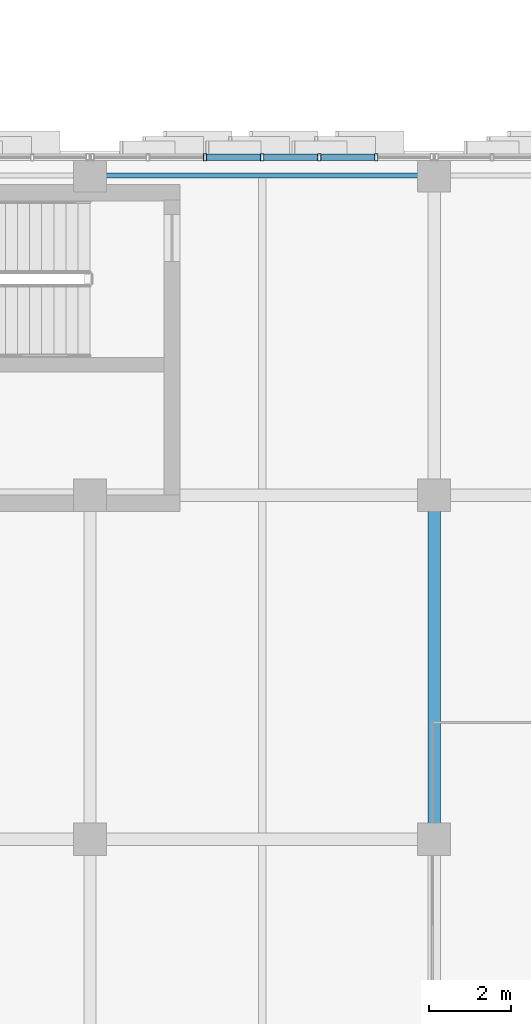
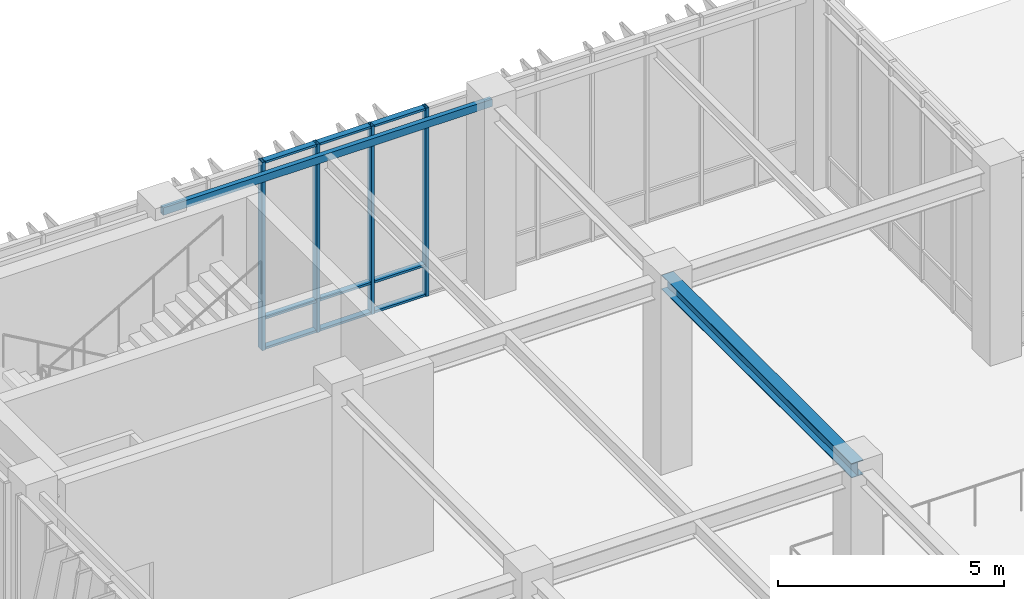
# One storey, part 47 of 139: 13 members, 2 beams, 1 element without a shape of its own.
"""IFC4 building model written with IfcOpenShell, lengths in metres."""

from ifc_helpers import new_model, si_unit, direction, frame, origin, origin_2d, place, context, subcontext, project, spatial, hollow_rectangle, i_section, extrude, material, layer, layer_set, material_profile, profile_set, type_object, element, aggregate, save


model = new_model("IFC4")

# Units and contexts
model_context = context("Model", 3, precision=1e-05, world=origin(), true_north=direction((0.0, 1.0)))
body_context = subcontext(model_context, "Body", "Model", "MODEL_VIEW")
ifc_project = project(units=[si_unit("LENGTHUNIT", "METRE"), si_unit("AREAUNIT", "SQUARE_METRE"), si_unit("VOLUMEUNIT", "CUBIC_METRE"), si_unit("PLANEANGLEUNIT", "RADIAN"), si_unit("MASSUNIT", "GRAM", prefix="KILO")], contexts=[model_context])

# Site, building, storey
site_placement = place(None, origin())
site = spatial("IfcSite", under=ifc_project, at=site_placement, CompositionType="ELEMENT")
building_placement = place(site_placement, origin())
building = spatial("IfcBuilding", under=site, at=building_placement, Name="Zayran Congress Hotel", CompositionType="ELEMENT")
storey_placement = place(building_placement, frame((0.0, 0.0, 5.39990234375)))
storey = spatial("IfcBuildingStorey", under=building, at=storey_placement, Name="L01", CompositionType="ELEMENT", Elevation=5.39990234375)

# Beams
ifc_material_1 = material(Name="Steel S355", Category="steel")
ifc_material_profile_1 = material_profile(ifc_material_1, i_section(OverallWidth=0.300048828125, OverallDepth=0.389892578125, WebThickness=0.010986328125, FlangeThickness=0.01904296875, at=origin_2d()), Name="HEA 400")
ifc_profile_set_1 = profile_set([ifc_material_profile_1], Name="Steel S355")
beam_type_1 = type_object("IfcBeamType", Name="TP-BM-06", PredefinedType="BEAM", material=ifc_profile_set_1)
beam_1_placement = place(storey_placement, frame((25.199951171875, 101.199951171875, 4.885009765625), z_axis=(0.0, 1.0, 0.0), x_axis=(-1.0, 0.0, 0.0)))
element("IfcBeam", 1, at=beam_1_placement, inside=storey, type_object=beam_type_1, Name="BM-V1-L01-0585", PredefinedType="BEAM", context=body_context, shape_type="SweptSolid", body=[
    extrude(i_section(OverallWidth=0.300048828125, OverallDepth=0.389892578125, WebThickness=0.010986328125, FlangeThickness=0.01904296875, at=origin_2d()), origin(), (0.0, 0.0, 1.0), 8.400146484375),
])
ifc_material_profile_2 = material_profile(ifc_material_1, hollow_rectangle(XDim=0.1201171875, YDim=0.199951171875, WallThickness=0.008056640625, at=origin_2d()), Name="RHS 200x120x8")
ifc_profile_set_2 = profile_set([ifc_material_profile_2], Name="Steel S355")
beam_type_2 = type_object("IfcBeamType", Name="TP-SP-02", PredefinedType="SPANDREL", material=ifc_profile_set_2)
beam_2_placement = place(storey_placement, frame((16.800048828125, 117.39990234375, 4.97998046875), z_axis=(1.0, 0.0, 0.0), x_axis=(0.0, 1.0, 0.0)))
element("IfcBeam", 2, at=beam_2_placement, inside=storey, type_object=beam_type_2, Name="BM-V1-L01-0562", PredefinedType="SPANDREL", context=body_context, shape_type="SweptSolid", body=[
    extrude(hollow_rectangle(XDim=0.1201171875, YDim=0.199951171875, WallThickness=0.008056640625, at=origin_2d()), origin(), (0.0, 0.0, 1.0), 8.39990234375),
])

# Curtain wall, members
ifc_material_2 = material(Name="Anodised aluminium and low-E insulated glass", Category="aluminium")
ifc_layer = layer(ifc_material_2, 0.179931640625)
ifc_layer_set = layer_set([ifc_layer], Name="Anodised aluminium and low-E insulated glass")
curtain_wall_type = type_object("IfcCurtainWallType", Name="CW-V1N-L01-CW-22-8360-5080", PredefinedType="USERDEFINED", material=ifc_layer_set)
curtain_wall_placement = place(storey_placement, origin())
curtain_wall = element("IfcCurtainWall", 3, at=curtain_wall_placement, inside=storey, type_object=curtain_wall_type, Name="CW-V1N-L01-1", ObjectType="CURTAIN WALL", PredefinedType="USERDEFINED")
ifc_material_3 = material(Name="Anodised aluminium framing", Category="aluminium")
ifc_material_profile_3 = material_profile(ifc_material_3, hollow_rectangle(XDim=0.080078125, YDim=0.179931640625, WallThickness=0.0048828125, at=origin_2d()), Name="RHS 180x80x5")
ifc_profile_set_3 = profile_set([ifc_material_profile_3], Name="Anodised aluminium framing")
member_type_1 = type_object("IfcMemberType", Name="TP-CWM-01", PredefinedType="MULLION", material=ifc_profile_set_3)
member_1_placement = place(storey_placement, frame((23.78662109375, 117.85009765625, 0.0), z_axis=(0.0, 0.0, 1.0), x_axis=(1.0, 0.0, 0.0)))
member_1 = element("IfcMember", 4, at=member_1_placement, type_object=member_type_1, Name="CW-V1N-L01-1-M01", PredefinedType="MULLION", context=body_context, shape_type="SweptSolid", body=[
    extrude(hollow_rectangle(XDim=0.080078125, YDim=0.179931640625, WallThickness=0.0048828125, at=origin_2d()), origin(), (0.0, 0.0, 1.0), 5.080078125),
])
member_2_placement = place(storey_placement, frame((22.393310546875, 117.85009765625, 0.0), z_axis=(0.0, 0.0, 1.0), x_axis=(1.0, 0.0, 0.0)))
member_2 = element("IfcMember", 5, at=member_2_placement, type_object=member_type_1, Name="CW-V1N-L01-1-M02", PredefinedType="MULLION", context=body_context, shape_type="SweptSolid", body=[
    extrude(hollow_rectangle(XDim=0.080078125, YDim=0.179931640625, WallThickness=0.0048828125, at=origin_2d()), origin(), (0.0, 0.0, 1.0), 5.080078125),
])
member_3_placement = place(storey_placement, frame((21.0, 117.85009765625, 0.0), z_axis=(0.0, 0.0, 1.0), x_axis=(1.0, 0.0, 0.0)))
member_3 = element("IfcMember", 6, at=member_3_placement, type_object=member_type_1, Name="CW-V1N-L01-1-M03", PredefinedType="MULLION", context=body_context, shape_type="SweptSolid", body=[
    extrude(hollow_rectangle(XDim=0.080078125, YDim=0.179931640625, WallThickness=0.0048828125, at=origin_2d()), origin(), (0.0, 0.0, 1.0), 5.080078125),
])
member_4_placement = place(storey_placement, frame((19.606689453125, 117.85009765625, 0.0), z_axis=(0.0, 0.0, 1.0), x_axis=(1.0, 0.0, 0.0)))
member_4 = element("IfcMember", 7, at=member_4_placement, type_object=member_type_1, Name="CW-V1N-L01-1-M04", PredefinedType="MULLION", context=body_context, shape_type="SweptSolid", body=[
    extrude(hollow_rectangle(XDim=0.080078125, YDim=0.179931640625, WallThickness=0.0048828125, at=origin_2d()), origin(), (0.0, 0.0, 1.0), 5.080078125),
])
ifc_material_profile_4 = material_profile(ifc_material_3, hollow_rectangle(XDim=0.06005859375, YDim=0.14990234375, WallThickness=0.00390625, at=origin_2d()), Name="RHS 150x60x4")
ifc_profile_set_4 = profile_set([ifc_material_profile_4], Name="Anodised aluminium framing")
member_type_2 = type_object("IfcMemberType", Name="TP-CWT-01", PredefinedType="USERDEFINED", material=ifc_profile_set_4)
member_5_placement = place(storey_placement, frame((23.74658203125, 117.85009765625, 0.030029296875), z_axis=(-1.0, 0.0, 0.0), x_axis=(0.0, 0.0, 1.0)))
member_5 = element("IfcMember", 8, at=member_5_placement, type_object=member_type_2, Name="CW-V1N-L01-1-T01-0", ObjectType="TRANSOM", PredefinedType="USERDEFINED", context=body_context, shape_type="SweptSolid", body=[
    extrude(hollow_rectangle(XDim=0.06005859375, YDim=0.14990234375, WallThickness=0.00390625, at=origin_2d()), origin(), (0.0, 0.0, 1.0), 1.313232421875),
])
member_6_placement = place(storey_placement, frame((23.74658203125, 117.85009765625, 0.840087890625), z_axis=(-1.0, 0.0, 0.0), x_axis=(0.0, 0.0, 1.0)))
member_6 = element("IfcMember", 9, at=member_6_placement, type_object=member_type_2, Name="CW-V1N-L01-1-T01-1", ObjectType="TRANSOM", PredefinedType="USERDEFINED", context=body_context, shape_type="SweptSolid", body=[
    extrude(hollow_rectangle(XDim=0.06005859375, YDim=0.14990234375, WallThickness=0.00390625, at=origin_2d()), origin(), (0.0, 0.0, 1.0), 1.313232421875),
])
member_7_placement = place(storey_placement, frame((23.74658203125, 117.85009765625, 5.050048828125), z_axis=(-1.0, 0.0, 0.0), x_axis=(0.0, 0.0, 1.0)))
member_7 = element("IfcMember", 10, at=member_7_placement, type_object=member_type_2, Name="CW-V1N-L01-1-T01-2", ObjectType="TRANSOM", PredefinedType="USERDEFINED", context=body_context, shape_type="SweptSolid", body=[
    extrude(hollow_rectangle(XDim=0.06005859375, YDim=0.14990234375, WallThickness=0.00390625, at=origin_2d()), origin(), (0.0, 0.0, 1.0), 1.313232421875),
])
member_8_placement = place(storey_placement, frame((22.353271484375, 117.85009765625, 0.030029296875), z_axis=(-1.0, 0.0, 0.0), x_axis=(0.0, 0.0, 1.0)))
member_8 = element("IfcMember", 11, at=member_8_placement, type_object=member_type_2, Name="CW-V1N-L01-1-T02-0", ObjectType="TRANSOM", PredefinedType="USERDEFINED", context=body_context, shape_type="SweptSolid", body=[
    extrude(hollow_rectangle(XDim=0.06005859375, YDim=0.14990234375, WallThickness=0.00390625, at=origin_2d()), origin(), (0.0, 0.0, 1.0), 1.313232421875),
])
member_9_placement = place(storey_placement, frame((22.353271484375, 117.85009765625, 0.840087890625), z_axis=(-1.0, 0.0, 0.0), x_axis=(0.0, 0.0, 1.0)))
member_9 = element("IfcMember", 12, at=member_9_placement, type_object=member_type_2, Name="CW-V1N-L01-1-T02-1", ObjectType="TRANSOM", PredefinedType="USERDEFINED", context=body_context, shape_type="SweptSolid", body=[
    extrude(hollow_rectangle(XDim=0.06005859375, YDim=0.14990234375, WallThickness=0.00390625, at=origin_2d()), origin(), (0.0, 0.0, 1.0), 1.313232421875),
])
member_10_placement = place(storey_placement, frame((22.353271484375, 117.85009765625, 5.050048828125), z_axis=(-1.0, 0.0, 0.0), x_axis=(0.0, 0.0, 1.0)))
member_10 = element("IfcMember", 13, at=member_10_placement, type_object=member_type_2, Name="CW-V1N-L01-1-T02-2", ObjectType="TRANSOM", PredefinedType="USERDEFINED", context=body_context, shape_type="SweptSolid", body=[
    extrude(hollow_rectangle(XDim=0.06005859375, YDim=0.14990234375, WallThickness=0.00390625, at=origin_2d()), origin(), (0.0, 0.0, 1.0), 1.313232421875),
])
member_11_placement = place(storey_placement, frame((20.9599609375, 117.85009765625, 0.030029296875), z_axis=(-1.0, 0.0, 0.0), x_axis=(0.0, 0.0, 1.0)))
member_11 = element("IfcMember", 14, at=member_11_placement, type_object=member_type_2, Name="CW-V1N-L01-1-T03-0", ObjectType="TRANSOM", PredefinedType="USERDEFINED", context=body_context, shape_type="SweptSolid", body=[
    extrude(hollow_rectangle(XDim=0.06005859375, YDim=0.14990234375, WallThickness=0.00390625, at=origin_2d()), origin(), (0.0, 0.0, 1.0), 1.313232421875),
])
member_12_placement = place(storey_placement, frame((20.9599609375, 117.85009765625, 0.840087890625), z_axis=(-1.0, 0.0, 0.0), x_axis=(0.0, 0.0, 1.0)))
member_12 = element("IfcMember", 15, at=member_12_placement, type_object=member_type_2, Name="CW-V1N-L01-1-T03-1", ObjectType="TRANSOM", PredefinedType="USERDEFINED", context=body_context, shape_type="SweptSolid", body=[
    extrude(hollow_rectangle(XDim=0.06005859375, YDim=0.14990234375, WallThickness=0.00390625, at=origin_2d()), origin(), (0.0, 0.0, 1.0), 1.313232421875),
])
member_13_placement = place(storey_placement, frame((20.9599609375, 117.85009765625, 5.050048828125), z_axis=(-1.0, 0.0, 0.0), x_axis=(0.0, 0.0, 1.0)))
member_13 = element("IfcMember", 16, at=member_13_placement, type_object=member_type_2, Name="CW-V1N-L01-1-T03-2", ObjectType="TRANSOM", PredefinedType="USERDEFINED", context=body_context, shape_type="SweptSolid", body=[
    extrude(hollow_rectangle(XDim=0.06005859375, YDim=0.14990234375, WallThickness=0.00390625, at=origin_2d()), origin(), (0.0, 0.0, 1.0), 1.313232421875),
])
aggregate(curtain_wall, [member_1, member_2, member_3, member_4, member_5, member_6, member_7, member_8, member_9, member_10, member_11, member_12, member_13])

save(model, "model.ifc")
